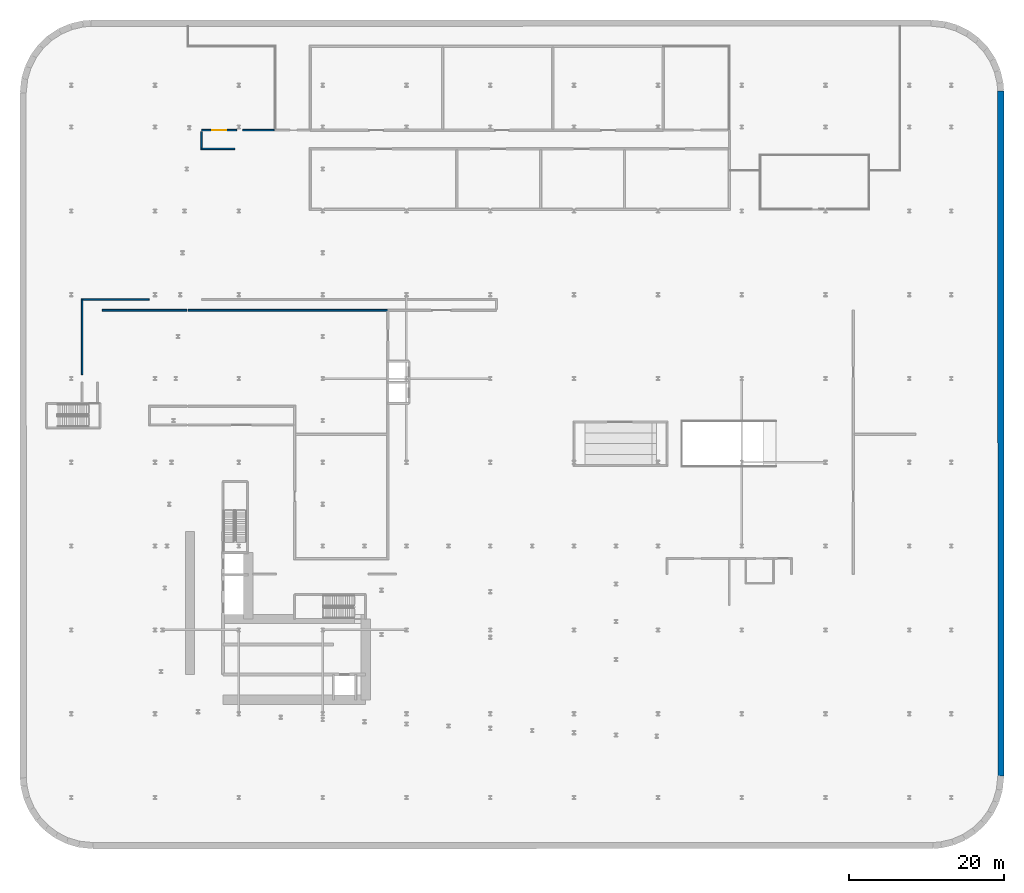
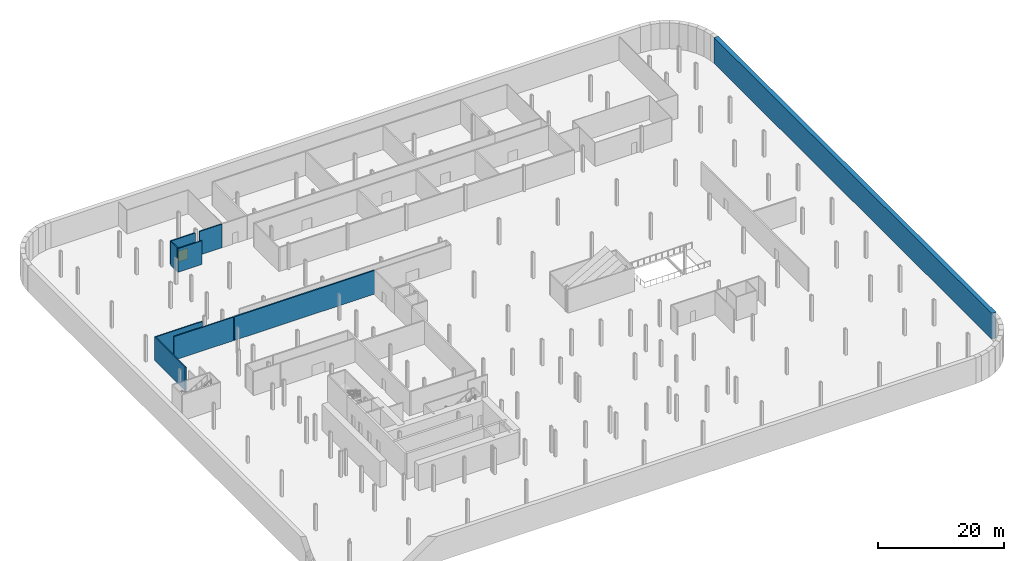
# One storey, part 11 of 19: 9 walls, 1 door, 1 opening.
"""IFC4 building model written with IfcOpenShell, lengths in metres."""

from ifc_helpers import new_model, si_unit, direction, frame, frame_2d, origin, place, context, subcontext, project, spatial, rectangle, extrude, source, transform, mapped, material, layer, layer_set, type_object, element, fill, save


model = new_model("IFC4")

# Units and contexts
model_context = context("Model", 3, precision=1e-05, world=origin(), true_north=direction((0.0, 1.0)))
body_context = subcontext(model_context, "Body", "Model", "MODEL_VIEW")
ifc_project = project(units=[si_unit("LENGTHUNIT", "METRE"), si_unit("AREAUNIT", "SQUARE_METRE"), si_unit("VOLUMEUNIT", "CUBIC_METRE"), si_unit("PLANEANGLEUNIT", "RADIAN"), si_unit("MASSUNIT", "GRAM", prefix="KILO")], contexts=[model_context])

# Site, building, storey
site_placement = place(None, origin())
site = spatial("IfcSite", under=ifc_project, at=site_placement, CompositionType="ELEMENT")
building_placement = place(site_placement, origin())
building = spatial("IfcBuilding", under=site, at=building_placement, Name="Kheshtan School and Residences Tower", CompositionType="ELEMENT")
storey_placement = place(building_placement, frame((0.0, 0.0, -10.0)))
storey = spatial("IfcBuildingStorey", under=building, at=storey_placement, Name="B2", CompositionType="ELEMENT", Elevation=-10.0)

# Walls
ifc_material_1 = material(Name="Concrete C35/45", Category="concrete")
ifc_layer_1 = layer(ifc_material_1, 0.800048828125)
ifc_layer_set_1 = layer_set([ifc_layer_1], Name="Basement wall 800 Concrete C35/45")
wall_type_1 = type_object("IfcWallType", Name="Basement wall 800 Concrete C35/45", PredefinedType="SOLIDWALL", material=ifc_layer_set_1)
wall_1_placement = place(storey_placement, frame((134.989013671875, 104.260986328125, 0.0), z_axis=(0.0, 0.0, 1.0), x_axis=(0.000124475473, -0.999999992253, 0.0)))
element("IfcWall", 1, at=wall_1_placement, inside=storey, type_object=wall_type_1, Name="Secant pile wall 20", PredefinedType="SOLIDWALL", context=body_context, shape_type="SweptSolid", body=[
    extrude(rectangle(XDim=88.260986328125, YDim=0.800048828125, at=frame_2d((44.13037109375, 0.0))), origin(), (0.0, 0.0, 1.0), 5.0),
])
ifc_material_2 = material(Name="Gypsum board on steel studs with fire boards", Category="steel")
ifc_layer_2 = layer(ifc_material_2, 0.199951171875)
ifc_layer_set_2 = layer_set([ifc_layer_2], Name="Corridor wall 200")
wall_type_2 = type_object("IfcWallType", Name="Corridor wall 200", PredefinedType="PARTITIONING", material=ifc_layer_set_2)
wall_2_placement = place(storey_placement, frame((16.60009765625, 67.699951171875, 0.0), z_axis=(0.0, 0.0, 1.0), x_axis=(0.0, 1.0, 0.0)))
element("IfcWall", 2, at=wall_2_placement, inside=storey, type_object=wall_type_2, Name="Partition B2-002", PredefinedType="PARTITIONING", context=body_context, shape_type="SweptSolid", body=[
    extrude(rectangle(XDim=9.800048828125, YDim=0.199951171875, at=frame_2d((4.89990234375, 0.0))), origin(), (0.0, 0.0, 1.0), 4.580078125),
])
wall_3_placement = place(storey_placement, frame((16.699951171875, 77.39990234375, 0.0), z_axis=(0.0, 0.0, 1.0), x_axis=(1.0, 0.0, 0.0)))
element("IfcWall", 3, at=wall_3_placement, inside=storey, type_object=wall_type_2, Name="Partition B2-003", PredefinedType="PARTITIONING", context=body_context, shape_type="SweptSolid", body=[
    extrude(rectangle(XDim=8.550048828125, YDim=0.199951171875, at=frame_2d((4.27490234375, 0.0))), origin(), (0.0, 0.0, 1.0), 4.580078125),
])
wall_4_placement = place(storey_placement, frame((19.199951171875, 76.0, 0.0), z_axis=(0.0, 0.0, 1.0), x_axis=(1.0, 0.0, 0.0)))
element("IfcWall", 4, at=wall_4_placement, inside=storey, type_object=wall_type_2, Name="Partition B2-005", PredefinedType="PARTITIONING", context=body_context, shape_type="SweptSolid", body=[
    extrude(rectangle(XDim=10.900146484375, YDim=0.199951171875, at=frame_2d((5.4501953125, 0.0))), origin(), (0.0, 0.0, 1.0), 4.580078125),
])
wall_5_placement = place(storey_placement, frame((31.89990234375, 96.800048828125, 0.0), z_axis=(0.0, 0.0, 1.0), x_axis=(1.0, 0.0, 0.0)))
element("IfcWall", 5, at=wall_5_placement, inside=storey, type_object=wall_type_2, Name="Partition B2-014", PredefinedType="PARTITIONING", context=body_context, shape_type="SweptSolid", body=[
    extrude(rectangle(XDim=4.400146484375, YDim=0.199951171875, at=frame_2d((2.2001953125, 0.0))), origin(), (0.0, 0.0, 1.0), 4.580078125),
])
wall_6_placement = place(storey_placement, frame((32.0, 96.89990234375, 0.0), z_axis=(0.0, 0.0, 1.0), x_axis=(0.0, 1.0, 0.0)))
element("IfcWall", 6, at=wall_6_placement, inside=storey, type_object=wall_type_2, Name="Partition B2-016", PredefinedType="PARTITIONING", context=body_context, shape_type="SweptSolid", body=[
    extrude(rectangle(XDim=2.10009765625, YDim=0.199951171875, at=frame_2d((1.050048828125, 0.0))), origin(), (0.0, 0.0, 1.0), 4.580078125),
])

# Wall, opening, door
wall_7_placement = place(storey_placement, frame((32.0, 99.199951171875, 0.0), z_axis=(0.0, 0.0, 1.0), x_axis=(1.0, 0.0, 0.0)))
wall_7 = element("IfcWall", 7, at=wall_7_placement, inside=storey, type_object=wall_type_2, Name="Partition B2-017", PredefinedType="PARTITIONING", context=body_context, shape_type="SweptSolid", body=[
    extrude(rectangle(XDim=4.5, YDim=0.199951171875, at=frame_2d((2.25, 0.0))), origin(), (0.0, 0.0, 1.0), 4.580078125),
])
opening_placement = place(wall_7_placement, frame((1.39990234375, 0.0, 0.0)))
opening = element("IfcOpeningElement", 8, at=opening_placement, cuts=wall_7, Name="Opening D2-002", PredefinedType="OPENING", context=body_context, shape_type="SweptSolid", body=[
    extrude(rectangle(XDim=1.800048828125, YDim=2.10009765625, at=frame_2d((0.89990234375, 1.050048828125))), frame((0.0, 0.10986328125, 0.0), z_axis=(0.0, -1.0, 0.0), x_axis=(1.0, 0.0, 0.0)), (0.0, 0.0, 1.0), 0.219970703125),
])
ifc_material_3 = material(Name="Steel-framed fire-resisting door leaf", Category="steel")
door_type = type_object("IfcDoorType", Name="Fire double door FD60 1800 x 2100", OperationType="DOUBLE_DOOR_SINGLE_SWING", PredefinedType="DOOR", material=ifc_material_3)
shared_shape = source(origin(), body_context, "Body", "SweptSolid", [
    extrude(rectangle(XDim=1.800048828125, YDim=2.10009765625, at=frame_2d((0.89990234375, 1.050048828125))), frame((0.0, 0.02490234375, 0.0), z_axis=(0.0, -1.0, 0.0), x_axis=(1.0, 0.0, 0.0)), (0.0, 0.0, 1.0), 0.050048828125),
])
door_placement = place(opening_placement, origin())
door = element("IfcDoor", 9, at=door_placement, inside=storey, type_object=door_type, Name="Door D2-002", OperationType="DOUBLE_DOOR_SINGLE_SWING", OverallHeight=2.10009765625, OverallWidth=1.800048828125, PredefinedType="DOOR", context=body_context, shape_type="MappedRepresentation", body=[
    mapped(shared_shape, transform((0.0, 0.0, 0.0), x_axis=(1.0, 0.0, 0.0), y_axis=(0.0, 1.0, 0.0), z_axis=(0.0, 0.0, 1.0), scale=1.0)),
])
fill(opening, door)

# Walls
wall_8_placement = place(storey_placement, frame((37.300048828125, 99.199951171875, 0.0), z_axis=(0.0, 0.0, 1.0), x_axis=(1.0, 0.0, 0.0)))
element("IfcWall", 10, at=wall_8_placement, inside=storey, type_object=wall_type_2, Name="Partition B2-018", PredefinedType="PARTITIONING", context=body_context, shape_type="SweptSolid", body=[
    extrude(rectangle(XDim=4.050048828125, YDim=0.199951171875, at=frame_2d((2.02490234375, 0.0))), origin(), (0.0, 0.0, 1.0), 4.580078125),
])
ifc_material_4 = material(Name="Fire-board and steel stud wall with mineral wool", Category="steel")
ifc_layer_3 = layer(ifc_material_4, 0.25)
ifc_layer_set_3 = layer_set([ifc_layer_3], Name="Plant room wall 250")
wall_type_3 = type_object("IfcWallType", Name="Plant room wall 250", PredefinedType="PARTITIONING", material=ifc_layer_set_3)
wall_9_placement = place(storey_placement, frame((30.25, 76.0, 0.0), z_axis=(0.0, 0.0, 1.0), x_axis=(1.0, 0.0, 0.0)))
element("IfcWall", 11, at=wall_9_placement, inside=storey, type_object=wall_type_3, Name="Partition B2-012", PredefinedType="PARTITIONING", context=body_context, shape_type="SweptSolid", body=[
    extrude(rectangle(XDim=25.75, YDim=0.25, at=frame_2d((12.875, 0.0))), origin(), (0.0, 0.0, 1.0), 4.580078125),
])

save(model, "model.ifc")
